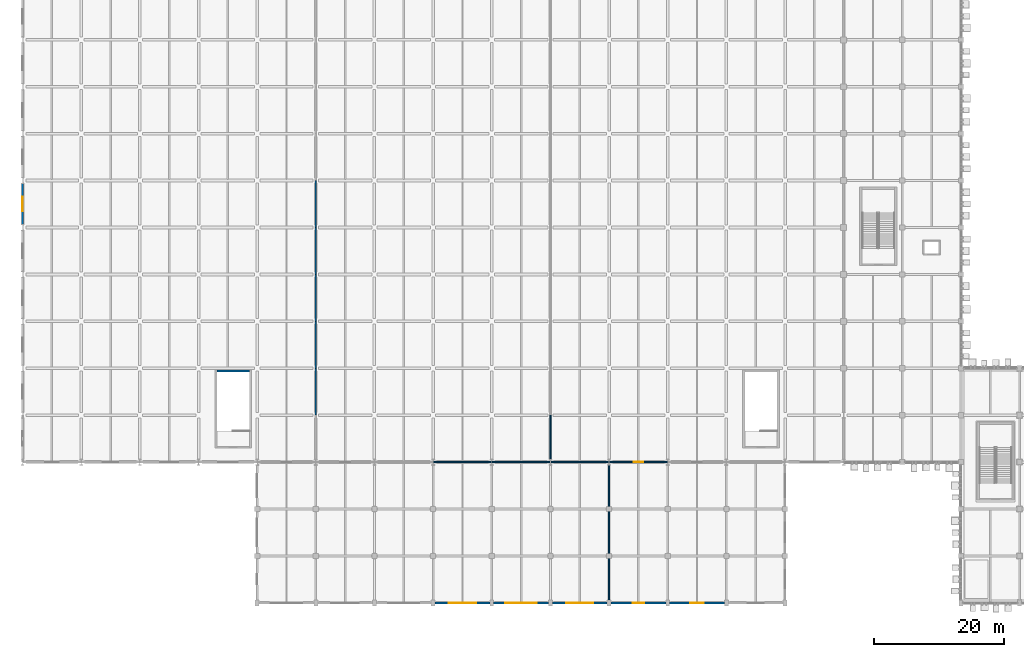
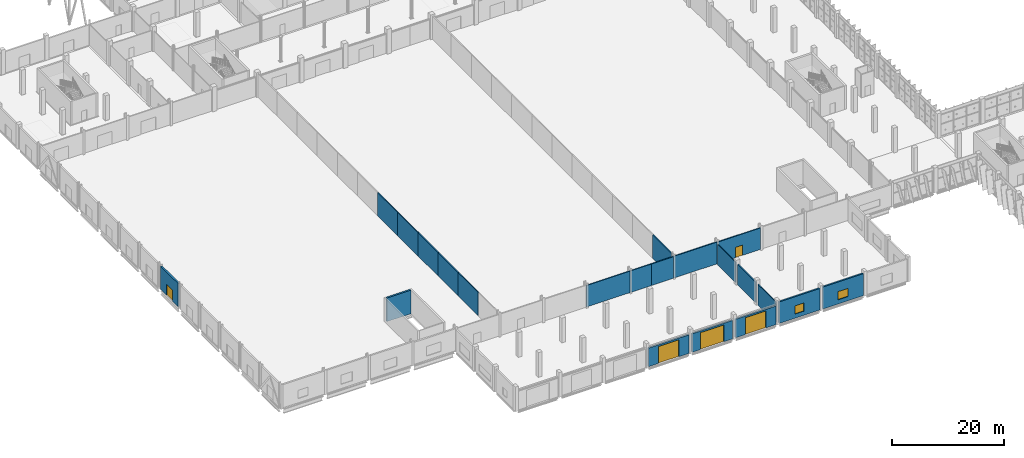
# One storey, part 86 of 137: 21 walls, 5 doors, 2 windows, 7 openings.
"""IFC4 building model written with IfcOpenShell, lengths in metres."""

from ifc_helpers import new_model, si_unit, direction, frame, frame_2d, origin, place, context, subcontext, project, spatial, rectangle, extrude, material, layer, layer_set, type_object, element, fill, save


model = new_model("IFC4")

# Units and contexts
model_context = context("Model", 3, precision=1e-05, world=origin(), true_north=direction((0.0, 1.0)))
body_context = subcontext(model_context, "Body", "Model", "MODEL_VIEW")
ifc_project = project(units=[si_unit("LENGTHUNIT", "METRE"), si_unit("AREAUNIT", "SQUARE_METRE"), si_unit("VOLUMEUNIT", "CUBIC_METRE"), si_unit("PLANEANGLEUNIT", "RADIAN"), si_unit("MASSUNIT", "GRAM", prefix="KILO")], contexts=[model_context])

# Site, building, storey
site_placement = place(None, origin())
site = spatial("IfcSite", under=ifc_project, at=site_placement, CompositionType="ELEMENT")
building_placement = place(site_placement, origin())
building = spatial("IfcBuilding", under=site, at=building_placement, Name="Celestram Park Convention Centre", CompositionType="ELEMENT")
storey_placement = place(building_placement, origin())
storey = spatial("IfcBuildingStorey", under=building, at=storey_placement, Name="L00", CompositionType="ELEMENT", Elevation=0.0)

# Walls
ifc_material_1 = material(Name="Double-Stud Acoustic Gypsum Assembly", Category="gypsum")
ifc_layer_1 = layer(ifc_material_1, 0.199951171875)
ifc_layer_set_1 = layer_set([ifc_layer_1], Name="Double-Stud Acoustic Gypsum Assembly")
wall_type_1 = type_object("IfcWallType", Name="ARC-WL-ACO200", PredefinedType="PARTITIONING", material=ifc_layer_set_1)
wall_1_placement = place(storey_placement, frame((63.010009765625, 21.60009765625, 0.0), z_axis=(0.0, 0.0, 1.0), x_axis=(1.0, 0.0, 0.0)))
element("IfcWall", 1, at=wall_1_placement, inside=storey, type_object=wall_type_1, Name="Interior partition WL-L00-IN0543", PredefinedType="PARTITIONING", context=body_context, shape_type="SweptSolid", body=[
    extrude(rectangle(XDim=8.97998046875, YDim=0.199951171875, at=frame_2d((4.489990234375, 0.0))), origin(), (0.0, 0.0, 1.0), 4.693115234375),
])
for number, where, z_axis, x_axis, name in (
    (2, (72.010009765625, 21.60009765625, 0.0), (0.0, 0.0, 1.0), (1.0, 0.0, 0.0), "Interior partition WL-L00-IN0544"),
    (3, (76.5, 21.60009765625, 0.0), (0.0, 0.0, 1.0), (1.0, 0.0, 0.0), "Interior partition WL-L00-IN0545"),
):
    element("IfcWall", number, at=place(storey_placement, frame(where, z_axis=z_axis, x_axis=x_axis)), inside=storey, type_object=wall_type_1, Name=name, PredefinedType="PARTITIONING", context=body_context, shape_type="SweptSolid", body=[
        extrude(rectangle(XDim=4.489990234375, YDim=0.199951171875, at=frame_2d((2.2451171875, 0.0))), origin(), (0.0, 0.0, 1.0), 4.702880859375),
    ])
wall_2_placement = place(storey_placement, frame((81.010009765625, 21.60009765625, 0.0), z_axis=(0.0, 0.0, 1.0), x_axis=(1.0, 0.0, 0.0)))
element("IfcWall", 4, at=wall_2_placement, inside=storey, type_object=wall_type_1, Name="Interior partition WL-L00-IN0546", PredefinedType="PARTITIONING", context=body_context, shape_type="SweptSolid", body=[
    extrude(rectangle(XDim=8.97998046875, YDim=0.199951171875, at=frame_2d((4.489990234375, 0.0))), origin(), (0.0, 0.0, 1.0), 4.75390625),
])

# Wall, opening, door
wall_3_placement = place(storey_placement, frame((90.010009765625, 21.60009765625, 0.0), z_axis=(0.0, 0.0, 1.0), x_axis=(1.0, 0.0, 0.0)))
wall_3 = element("IfcWall", 5, at=wall_3_placement, inside=storey, type_object=wall_type_1, Name="Interior partition WL-L00-IN0547", PredefinedType="PARTITIONING", context=body_context, shape_type="SweptSolid", body=[
    extrude(rectangle(XDim=8.97998046875, YDim=0.199951171875, at=frame_2d((4.489990234375, 0.0))), origin(), (0.0, 0.0, 1.0), 4.693115234375),
])
opening_1_placement = place(wall_3_placement, frame((3.739990234375, 0.0, 0.0)))
opening_1 = element("IfcOpeningElement", 6, at=opening_1_placement, cuts=wall_3, Name="Opening D-09", PredefinedType="OPENING", context=body_context, shape_type="SweptSolid", body=[
    extrude(rectangle(XDim=1.5, YDim=2.25, at=frame_2d((0.75, 1.125))), frame((0.0, 0.10986328125, 0.0), z_axis=(0.0, -1.0, 0.0), x_axis=(1.0, 0.0, 0.0)), (0.0, 0.0, 1.0), 0.219970703125),
])
ifc_material_2 = material(Name="Galvanised Hollow Metal Plant Double Door", Category="steel")
door_type_1 = type_object("IfcDoorType", Name="ARC-DR-PLT150", OperationType="NOTDEFINED", PredefinedType="DOOR", material=ifc_material_2)
door_1_placement = place(opening_1_placement, origin())
door_1 = element("IfcDoor", 7, at=door_1_placement, inside=storey, type_object=door_type_1, Name="Freight Equipment Store entrance door", OperationType="DOUBLE_DOOR_SINGLE_SWING", OverallHeight=2.25, OverallWidth=1.5, PredefinedType="DOOR", context=body_context, shape_type="SweptSolid", body=[
    extrude(rectangle(XDim=1.5, YDim=2.25, at=frame_2d((0.75, 1.125))), frame((0.0, 0.02490234375, 0.0), z_axis=(0.0, -1.0, 0.0), x_axis=(1.0, 0.0, 0.0)), (0.0, 0.0, 1.0), 0.050048828125),
])
fill(opening_1, door_1)

# Walls
for number, where, z_axis, x_axis, name in (
    (8, (45.0, 28.800048828125, 0.0), (0.0, 0.0, 1.0), (0.0, 1.0, 0.0), "Interior partition WL-L00-IN0615"),
    (9, (45.0, 36.0, 0.0), (0.0, 0.0, 1.0), (0.0, 1.0, 0.0), "Interior partition WL-L00-IN0616"),
    (10, (45.0, 43.199951171875, 0.0), (0.0, 0.0, 1.0), (0.0, 1.0, 0.0), "Interior partition WL-L00-IN0617"),
):
    element("IfcWall", number, at=place(storey_placement, frame(where, z_axis=z_axis, x_axis=x_axis)), inside=storey, type_object=wall_type_1, Name=name, PredefinedType="PARTITIONING", context=body_context, shape_type="SweptSolid", body=[
        extrude(rectangle(XDim=7.199951171875, YDim=0.199951171875, at=frame_2d((3.60009765625, 0.0))), origin(), (0.0, 0.0, 1.0), 5.080078125),
    ])
wall_4_placement = place(storey_placement, frame((45.0, 50.39990234375, 0.0), z_axis=(0.0, 0.0, 1.0), x_axis=(0.0, 1.0, 0.0)))
element("IfcWall", 11, at=wall_4_placement, inside=storey, type_object=wall_type_1, Name="Interior partition WL-L00-IN0618", PredefinedType="PARTITIONING", context=body_context, shape_type="SweptSolid", body=[
    extrude(rectangle(XDim=7.2001953125, YDim=0.199951171875, at=frame_2d((3.60009765625, 0.0))), origin(), (0.0, 0.0, 1.0), 5.080078125),
])
wall_5_placement = place(storey_placement, frame((45.0, 57.60009765625, 0.0), z_axis=(0.0, 0.0, 1.0), x_axis=(0.0, 1.0, 0.0)))
element("IfcWall", 12, at=wall_5_placement, inside=storey, type_object=wall_type_1, Name="Interior partition WL-L00-IN0619", PredefinedType="PARTITIONING", context=body_context, shape_type="SweptSolid", body=[
    extrude(rectangle(XDim=7.199951171875, YDim=0.199951171875, at=frame_2d((3.60009765625, 0.0))), origin(), (0.0, 0.0, 1.0), 5.080078125),
])
wall_6_placement = place(storey_placement, frame((81.0, 22.06396484375, 0.0), z_axis=(0.0, 0.0, 1.0), x_axis=(0.0, 1.0, 0.0)))
element("IfcWall", 13, at=wall_6_placement, inside=storey, type_object=wall_type_1, Name="Interior partition WL-L00-IN0631", PredefinedType="PARTITIONING", context=body_context, shape_type="SweptSolid", body=[
    extrude(rectangle(XDim=6.736083984375, YDim=0.199951171875, at=frame_2d((3.3681640625, 0.0))), origin(), (0.0, 0.0, 1.0), 5.080078125),
])

# Wall, opening, door
ifc_material_3 = material(Name="Precast Concrete C40/50", Category="concrete")
ifc_layer_2 = layer(ifc_material_3, 0.320068359375)
ifc_layer_set_2 = layer_set([ifc_layer_2], Name="Precast Concrete C40/50")
wall_type_2 = type_object("IfcWallType", Name="ARC-WL-EXT320", PredefinedType="STANDARD", material=ifc_layer_set_2)
wall_7_placement = place(storey_placement, frame((0.0, 58.06396484375, 0.0), z_axis=(0.0, 0.0, 1.0), x_axis=(0.0, 1.0, 0.0)))
wall_7 = element("IfcWall", 14, at=wall_7_placement, inside=storey, type_object=wall_type_2, Name="Bush-hammered precast exterior wall WL-L00-EW006", PredefinedType="STANDARD", context=body_context, shape_type="SweptSolid", body=[
    extrude(rectangle(XDim=6.27197265625, YDim=0.320068359375, at=frame_2d((3.135986328125, 0.0))), origin(), (0.0, 0.0, 1.0), 5.080078125),
])
opening_2_placement = place(wall_7_placement, frame((2.035888671875, 0.0, 0.0)))
opening_2 = element("IfcOpeningElement", 15, at=opening_2_placement, cuts=wall_7, Name="Opening D-EX1", PredefinedType="OPENING", context=body_context, shape_type="SweptSolid", body=[
    extrude(rectangle(XDim=2.199951171875, YDim=2.39990234375, at=frame_2d((1.10009765625, 1.199951171875))), frame((0.0, 0.169921875, 0.0), z_axis=(0.0, -1.0, 0.0), x_axis=(1.0, 0.0, 0.0)), (0.0, 0.0, 1.0), 0.340087890625),
])
ifc_material_4 = material(Name="Anodised Aluminium & Tempered Glass", Category="aluminium")
door_type_2 = type_object("IfcDoorType", Name="ARC-DR-EX2200", OperationType="NOTDEFINED", PredefinedType="DOOR", material=ifc_material_4)
door_2_placement = place(opening_2_placement, origin())
door_2 = element("IfcDoor", 16, at=door_2_placement, inside=storey, type_object=door_type_2, Name="Ground egress exit door DR-L00-EX06", OperationType="DOUBLE_DOOR_SINGLE_SWING", OverallHeight=2.39990234375, OverallWidth=2.199951171875, PredefinedType="DOOR", context=body_context, shape_type="SweptSolid", body=[
    extrude(rectangle(XDim=2.199951171875, YDim=2.39990234375, at=frame_2d((1.10009765625, 1.199951171875))), frame((0.0, 0.02490234375, 0.0), z_axis=(0.0, -1.0, 0.0), x_axis=(1.0, 0.0, 0.0)), (0.0, 0.0, 1.0), 0.050048828125),
])
fill(opening_2, door_2)

# Wall, opening, window
wall_8_placement = place(storey_placement, frame((107.701904296875, 0.0, 0.0), z_axis=(0.0, 0.0, 1.0), x_axis=(-1.0, 0.0, 0.0)))
wall_8 = element("IfcWall", 17, at=wall_8_placement, inside=storey, type_object=wall_type_2, Name="Bush-hammered precast exterior wall WL-L00-EW067", PredefinedType="STANDARD", context=body_context, shape_type="SweptSolid", body=[
    extrude(rectangle(XDim=8.40380859375, YDim=0.320068359375, at=frame_2d((4.201904296875, 0.0))), origin(), (0.0, 0.0, 1.0), 4.787109375),
])
opening_3_placement = place(wall_8_placement, frame((3.152099609375, 0.0, 0.89990234375)))
opening_3 = element("IfcOpeningElement", 18, at=opening_3_placement, cuts=wall_8, Name="Opening W-05", PredefinedType="OPENING", context=body_context, shape_type="SweptSolid", body=[
    extrude(rectangle(XDim=2.10009765625, YDim=1.800048828125, at=frame_2d((1.050048828125, 0.89990234375))), frame((0.0, 0.169921875, 0.0), z_axis=(0.0, -1.0, 0.0), x_axis=(1.0, 0.0, 0.0)), (0.0, 0.0, 1.0), 0.340087890625),
])
ifc_material_5 = material(Name="Thermally Broken Aluminium & Triple Glazing", Category="aluminium")
window_type_1 = type_object("IfcWindowType", Name="ARC-WN-210X180", PartitioningType="SINGLE_PANEL", PredefinedType="WINDOW", material=ifc_material_5)
window_1_placement = place(opening_3_placement, origin())
window_1 = element("IfcWindow", 19, at=window_1_placement, inside=storey, type_object=window_type_1, Name="Punched exterior window WN-L00-013", OverallHeight=1.800048828125, OverallWidth=2.10009765625, PartitioningType="SINGLE_PANEL", PredefinedType="WINDOW", context=body_context, shape_type="SweptSolid", body=[
    extrude(rectangle(XDim=2.10009765625, YDim=1.800048828125, at=frame_2d((1.050048828125, 0.89990234375))), frame((0.0, 0.030029296875, 0.0), z_axis=(0.0, -1.0, 0.0), x_axis=(1.0, 0.0, 0.0)), (0.0, 0.0, 1.0), 0.06005859375),
])
fill(opening_3, window_1)

wall_9_placement = place(storey_placement, frame((98.701904296875, 0.0, 0.0), z_axis=(0.0, 0.0, 1.0), x_axis=(-1.0, 0.0, 0.0)))
wall_9 = element("IfcWall", 20, at=wall_9_placement, inside=storey, type_object=wall_type_2, Name="Bush-hammered precast exterior wall WL-L00-EW068", PredefinedType="STANDARD", context=body_context, shape_type="SweptSolid", body=[
    extrude(rectangle(XDim=8.40380859375, YDim=0.320068359375, at=frame_2d((4.201904296875, 0.0))), origin(), (0.0, 0.0, 1.0), 4.702880859375),
])
opening_4_placement = place(wall_9_placement, frame((3.302001953125, 0.0, 0.89990234375)))
opening_4 = element("IfcOpeningElement", 21, at=opening_4_placement, cuts=wall_9, Name="Opening W-06", PredefinedType="OPENING", context=body_context, shape_type="SweptSolid", body=[
    extrude(rectangle(XDim=1.800048828125, YDim=1.800048828125, at=frame_2d((0.89990234375, 0.89990234375))), frame((0.0, 0.169921875, 0.0), z_axis=(0.0, -1.0, 0.0), x_axis=(1.0, 0.0, 0.0)), (0.0, 0.0, 1.0), 0.340087890625),
])
window_type_2 = type_object("IfcWindowType", Name="ARC-WN-180X180", PartitioningType="SINGLE_PANEL", PredefinedType="WINDOW", material=ifc_material_5)
window_2_placement = place(opening_4_placement, origin())
window_2 = element("IfcWindow", 22, at=window_2_placement, inside=storey, type_object=window_type_2, Name="Punched exterior window WN-L00-014", OverallHeight=1.800048828125, OverallWidth=1.800048828125, PartitioningType="SINGLE_PANEL", PredefinedType="WINDOW", context=body_context, shape_type="SweptSolid", body=[
    extrude(rectangle(XDim=1.800048828125, YDim=1.800048828125, at=frame_2d((0.89990234375, 0.89990234375))), frame((0.0, 0.030029296875, 0.0), z_axis=(0.0, -1.0, 0.0), x_axis=(1.0, 0.0, 0.0)), (0.0, 0.0, 1.0), 0.06005859375),
])
fill(opening_4, window_2)

# Wall, opening, door
wall_10_placement = place(storey_placement, frame((89.701904296875, 0.0, 0.0), z_axis=(0.0, 0.0, 1.0), x_axis=(-1.0, 0.0, 0.0)))
wall_10 = element("IfcWall", 23, at=wall_10_placement, inside=storey, type_object=wall_type_2, Name="Bush-hammered precast exterior wall WL-L00-EW069", PredefinedType="STANDARD", context=body_context, shape_type="SweptSolid", body=[
    extrude(rectangle(XDim=8.40380859375, YDim=0.320068359375, at=frame_2d((4.201904296875, 0.0))), origin(), (0.0, 0.0, 1.0), 4.04296875),
])
opening_5_placement = place(wall_10_placement, frame((2.10205078125, 0.0, 0.0)))
opening_5 = element("IfcOpeningElement", 24, at=opening_5_placement, cuts=wall_10, Name="Opening D-SH2", PredefinedType="OPENING", context=body_context, shape_type="SweptSolid", body=[
    extrude(rectangle(XDim=4.199951171875, YDim=3.68994140625, at=frame_2d((2.10009765625, 1.844970703125))), frame((0.0, 0.169921875, 0.0), z_axis=(0.0, -1.0, 0.0), x_axis=(1.0, 0.0, 0.0)), (0.0, 0.0, 1.0), 0.340087890625),
])
ifc_material_6 = material(Name="Galvanised Steel Roller Slats Grade 33", Category="steel")
door_type_3 = type_object("IfcDoorType", Name="ARC-DR-SH4200", OperationType="NOTDEFINED", PredefinedType="DOOR", material=ifc_material_6)
door_3_placement = place(opening_5_placement, origin())
door_3 = element("IfcDoor", 25, at=door_3_placement, inside=storey, type_object=door_type_3, Name="Motorised freight dock shutter DR-L00-SH02", OperationType="ROLLINGUP", OverallHeight=3.68994140625, OverallWidth=4.199951171875, PredefinedType="DOOR", context=body_context, shape_type="SweptSolid", body=[
    extrude(rectangle(XDim=4.199951171875, YDim=3.68994140625, at=frame_2d((2.10009765625, 1.844970703125))), frame((0.0, 0.02490234375, 0.0), z_axis=(0.0, -1.0, 0.0), x_axis=(1.0, 0.0, 0.0)), (0.0, 0.0, 1.0), 0.050048828125),
])
fill(opening_5, door_3)

wall_11_placement = place(storey_placement, frame((80.701904296875, 0.0, 0.0), z_axis=(0.0, 0.0, 1.0), x_axis=(-1.0, 0.0, 0.0)))
wall_11 = element("IfcWall", 26, at=wall_11_placement, inside=storey, type_object=wall_type_2, Name="Bush-hammered precast exterior wall WL-L00-EW070", PredefinedType="STANDARD", context=body_context, shape_type="SweptSolid", body=[
    extrude(rectangle(XDim=8.40380859375, YDim=0.320068359375, at=frame_2d((4.201904296875, 0.0))), origin(), (0.0, 0.0, 1.0), 4.04296875),
])
opening_6_placement = place(wall_11_placement, frame((1.802001953125, 0.0, 0.0)))
opening_6 = element("IfcOpeningElement", 27, at=opening_6_placement, cuts=wall_11, Name="Opening D-SH1", PredefinedType="OPENING", context=body_context, shape_type="SweptSolid", body=[
    extrude(rectangle(XDim=4.800048828125, YDim=3.68994140625, at=frame_2d((2.39990234375, 1.844970703125))), frame((0.0, 0.169921875, 0.0), z_axis=(0.0, -1.0, 0.0), x_axis=(1.0, 0.0, 0.0)), (0.0, 0.0, 1.0), 0.340087890625),
])
door_type_4 = type_object("IfcDoorType", Name="ARC-DR-SH4800", OperationType="NOTDEFINED", PredefinedType="DOOR", material=ifc_material_6)
door_4_placement = place(opening_6_placement, origin())
door_4 = element("IfcDoor", 28, at=door_4_placement, inside=storey, type_object=door_type_4, Name="Motorised freight dock shutter DR-L00-SH03", OperationType="ROLLINGUP", OverallHeight=3.68994140625, OverallWidth=4.800048828125, PredefinedType="DOOR", context=body_context, shape_type="SweptSolid", body=[
    extrude(rectangle(XDim=4.800048828125, YDim=3.68994140625, at=frame_2d((2.39990234375, 1.844970703125))), frame((0.0, 0.02490234375, 0.0), z_axis=(0.0, -1.0, 0.0), x_axis=(1.0, 0.0, 0.0)), (0.0, 0.0, 1.0), 0.050048828125),
])
fill(opening_6, door_4)

wall_12_placement = place(storey_placement, frame((71.701904296875, 0.0, 0.0), z_axis=(0.0, 0.0, 1.0), x_axis=(-1.0, 0.0, 0.0)))
wall_12 = element("IfcWall", 29, at=wall_12_placement, inside=storey, type_object=wall_type_2, Name="Bush-hammered precast exterior wall WL-L00-EW071", PredefinedType="STANDARD", context=body_context, shape_type="SweptSolid", body=[
    extrude(rectangle(XDim=8.40380859375, YDim=0.320068359375, at=frame_2d((4.201904296875, 0.0))), origin(), (0.0, 0.0, 1.0), 4.04296875),
])
opening_7_placement = place(wall_12_placement, frame((2.10205078125, 0.0, 0.0)))
opening_7 = element("IfcOpeningElement", 30, at=opening_7_placement, cuts=wall_12, Name="Opening D-SH2", PredefinedType="OPENING", context=body_context, shape_type="SweptSolid", body=[
    extrude(rectangle(XDim=4.199951171875, YDim=3.68994140625, at=frame_2d((2.10009765625, 1.844970703125))), frame((0.0, 0.169921875, 0.0), z_axis=(0.0, -1.0, 0.0), x_axis=(1.0, 0.0, 0.0)), (0.0, 0.0, 1.0), 0.340087890625),
])
door_5_placement = place(opening_7_placement, origin())
door_5 = element("IfcDoor", 31, at=door_5_placement, inside=storey, type_object=door_type_3, Name="Motorised freight dock shutter DR-L00-SH04", OperationType="ROLLINGUP", OverallHeight=3.68994140625, OverallWidth=4.199951171875, PredefinedType="DOOR", context=body_context, shape_type="SweptSolid", body=[
    extrude(rectangle(XDim=4.199951171875, YDim=3.68994140625, at=frame_2d((2.10009765625, 1.844970703125))), frame((0.0, 0.02490234375, 0.0), z_axis=(0.0, -1.0, 0.0), x_axis=(1.0, 0.0, 0.0)), (0.0, 0.0, 1.0), 0.050048828125),
])
fill(opening_7, door_5)

# Walls
ifc_material_7 = material(Name="Fire-Rated Gypsum & Steel Stud 180 mm", Category="steel")
ifc_layer_3 = layer(ifc_material_7, 0.179931640625)
ifc_layer_set_3 = layer_set([ifc_layer_3], Name="Fire-Rated Gypsum & Steel Stud 180 mm")
wall_type_3 = type_object("IfcWallType", Name="ARC-WL-PRT180", PredefinedType="PARTITIONING", material=ifc_layer_set_3)
wall_13_placement = place(storey_placement, frame((90.0, 0.447998046875, 0.0), z_axis=(0.0, 0.0, 1.0), x_axis=(0.0, 1.0, 0.0)))
element("IfcWall", 32, at=wall_13_placement, inside=storey, type_object=wall_type_3, Name="Interior partition WL-L00-IN0645", PredefinedType="PARTITIONING", context=body_context, shape_type="SweptSolid", body=[
    extrude(rectangle(XDim=6.35400390625, YDim=0.179931640625, at=frame_2d((3.177001953125, 0.0))), origin(), (0.0, 0.0, 1.0), 4.47705078125),
])
wall_14_placement = place(storey_placement, frame((90.0, 7.597900390625, 0.0), z_axis=(0.0, 0.0, 1.0), x_axis=(0.0, 1.0, 0.0)))
element("IfcWall", 33, at=wall_14_placement, inside=storey, type_object=wall_type_3, Name="Interior partition WL-L00-IN0646", PredefinedType="PARTITIONING", context=body_context, shape_type="SweptSolid", body=[
    extrude(rectangle(XDim=6.404052734375, YDim=0.179931640625, at=frame_2d((3.2021484375, 0.0))), origin(), (0.0, 0.0, 1.0), 4.47705078125),
])
wall_15_placement = place(storey_placement, frame((90.0, 14.798095703125, 0.0), z_axis=(0.0, 0.0, 1.0), x_axis=(0.0, 1.0, 0.0)))
element("IfcWall", 34, at=wall_15_placement, inside=storey, type_object=wall_type_3, Name="Interior partition WL-L00-IN0647", PredefinedType="PARTITIONING", context=body_context, shape_type="SweptSolid", body=[
    extrude(rectangle(XDim=6.337890625, YDim=0.179931640625, at=frame_2d((3.1689453125, 0.0))), origin(), (0.0, 0.0, 1.0), 4.47705078125),
])
ifc_material_8 = material(Name="Concrete C40/50", Category="concrete")
ifc_layer_4 = layer(ifc_material_8, 0.340087890625)
ifc_layer_set_4 = layer_set([ifc_layer_4], Name="Concrete C40/50")
wall_type_4 = type_object("IfcWallType", Name="STR-WL-SHR340", PredefinedType="SHEAR", material=ifc_layer_set_4)
wall_16_placement = place(storey_placement, frame((29.840087890625, 35.570068359375, 0.0), z_axis=(0.0, 0.0, 1.0), x_axis=(1.0, 0.0, 0.0)))
element("IfcWall", 35, at=wall_16_placement, inside=storey, type_object=wall_type_4, Name="Core S17 shear wall F", PredefinedType="SHEAR", context=body_context, shape_type="SweptSolid", body=[
    extrude(rectangle(XDim=4.9599609375, YDim=0.340087890625, at=frame_2d((2.47998046875, 0.0))), origin(), (0.0, 0.0, 1.0), 5.159912109375),
])

save(model, "model.ifc")
